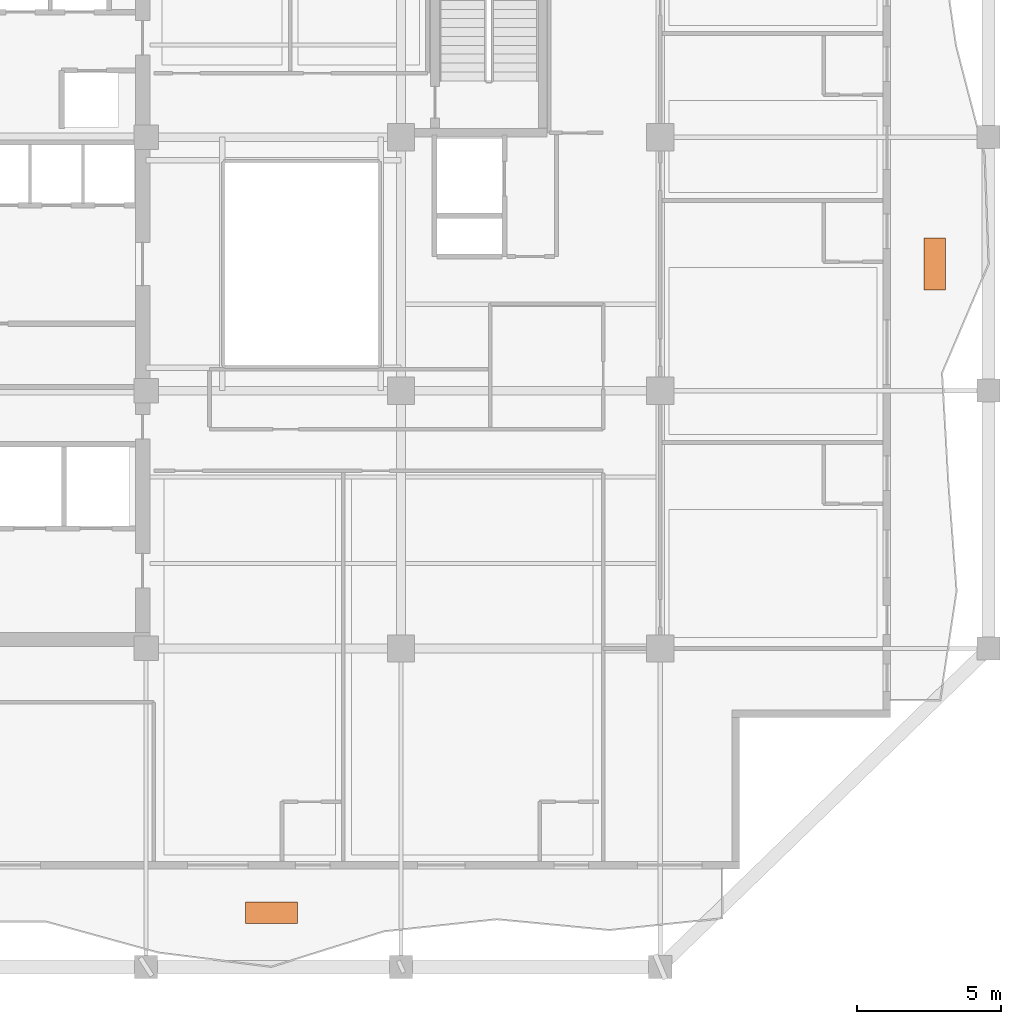
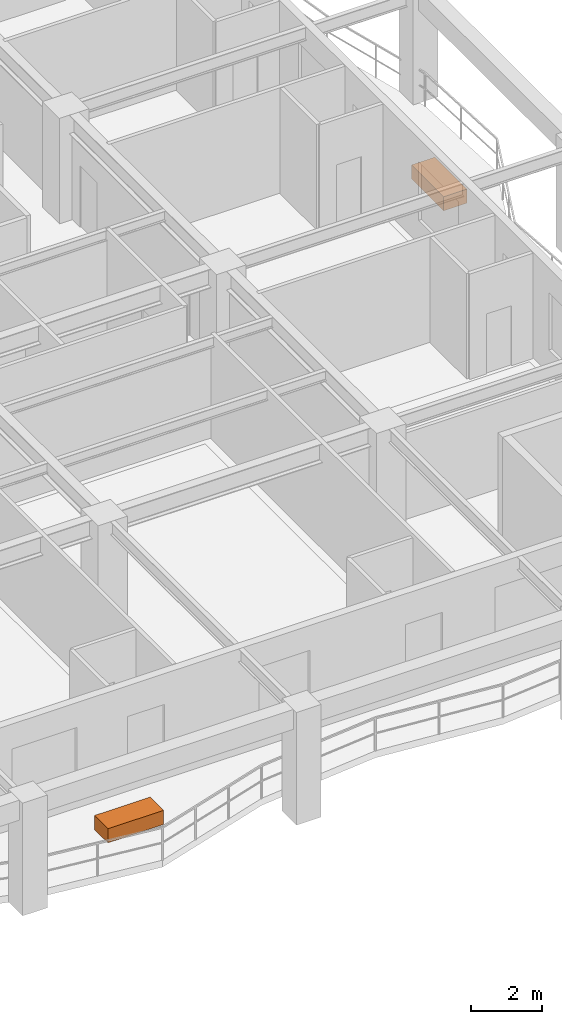
# One storey, part 13 of 13: 2 proxies.
"""IFC4 building model written with IfcOpenShell, lengths in metres."""

from ifc_helpers import new_model, si_unit, direction, frame, origin, origin_2d, place, context, subcontext, project, spatial, rectangle, extrude, material, type_object, element, save


model = new_model("IFC4")

# Units and contexts
model_context = context("Model", 3, precision=1e-05, world=origin(), true_north=direction((0.0, 1.0)))
body_context = subcontext(model_context, "Body", "Model", "MODEL_VIEW")
ifc_project = project(units=[si_unit("LENGTHUNIT", "METRE"), si_unit("AREAUNIT", "SQUARE_METRE"), si_unit("VOLUMEUNIT", "CUBIC_METRE"), si_unit("PLANEANGLEUNIT", "RADIAN"), si_unit("MASSUNIT", "GRAM", prefix="KILO")], contexts=[model_context])

# Site, building, storey
site_placement = place(None, origin())
site = spatial("IfcSite", under=ifc_project, at=site_placement, CompositionType="ELEMENT")
building_placement = place(site_placement, origin())
building = spatial("IfcBuilding", under=site, at=building_placement, Name="Kundavana Baori Tower", CompositionType="ELEMENT")
storey_placement = place(building_placement, frame((0.0, 0.0, 161.75)))
storey = spatial("IfcBuildingStorey", under=building, at=storey_placement, Name="L39", CompositionType="ELEMENT", Elevation=161.75)

# Proxies
ifc_material = material(Name="Red-Buff Dholpur Sandstone Cladding on Concrete C40/50", Category="masonry")
building_element_proxy_type = type_object("IfcBuildingElementProxyType", Name="PRX-PLANTER-1800", PredefinedType="USERDEFINED", material=ifc_material)
for number, where, z_axis, x_axis, name in (
    (1, (29.300048828125, 6.070068359375, 0.0), (0.0, 0.0, 1.0), (1.0, 0.0, 0.0), "L39 Dholpur Stone Structural Tree Planter S"),
    (2, (52.330078125, 28.60009765625, 0.0), (0.0, 0.0, 1.0), (0.0, 1.0, 0.0), "L39 Dholpur Stone Structural Tree Planter E"),
):
    element("IfcBuildingElementProxy", number, at=place(storey_placement, frame(where, z_axis=z_axis, x_axis=x_axis)), inside=storey, type_object=building_element_proxy_type, Name=name, ObjectType="PLANTER", PredefinedType="USERDEFINED", context=body_context, shape_type="SweptSolid", body=[
        extrude(rectangle(XDim=1.800048828125, YDim=0.75, at=origin_2d()), origin(), (0.0, 0.0, 1.0), 0.47998046875),
    ])

save(model, "model.ifc")
